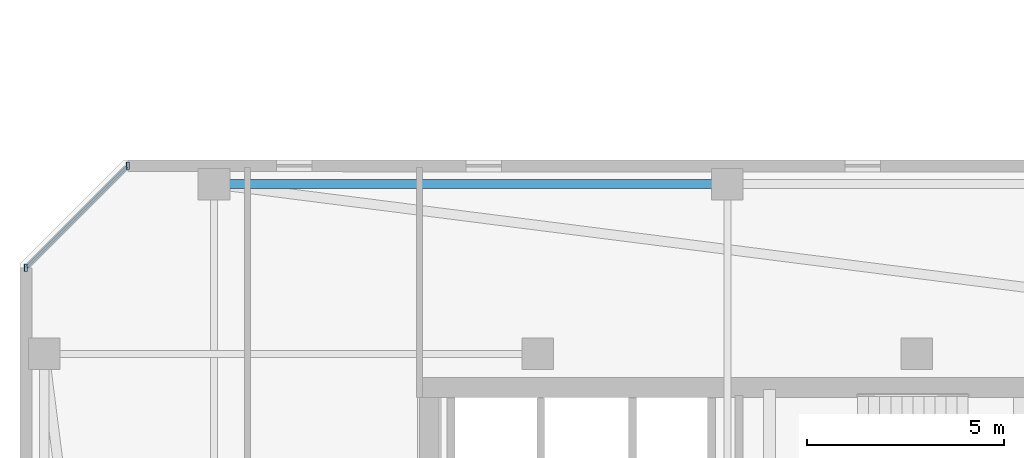
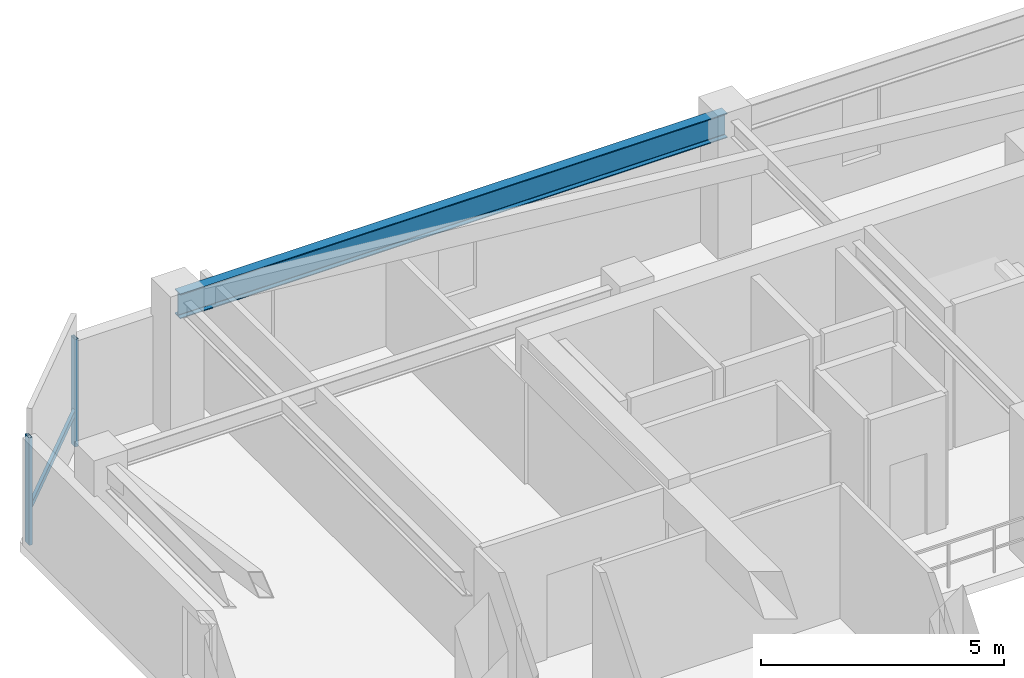
# One storey, part 10 of 34: 3 members, 1 beam, 1 element without a shape of its own.
"""IFC4 building model written with IfcOpenShell, lengths in metres."""

from ifc_helpers import new_model, si_unit, direction, frame, origin, origin_2d, place, context, subcontext, project, spatial, hollow_rectangle, i_section, extrude, material, material_profile, profile_set, type_object, element, aggregate, save


model = new_model("IFC4")

# Units and contexts
model_context = context("Model", 3, precision=1e-05, world=origin(), true_north=direction((0.0, 1.0)))
body_context = subcontext(model_context, "Body", "Model", "MODEL_VIEW")
ifc_project = project(units=[si_unit("LENGTHUNIT", "METRE"), si_unit("AREAUNIT", "SQUARE_METRE"), si_unit("VOLUMEUNIT", "CUBIC_METRE"), si_unit("PLANEANGLEUNIT", "RADIAN"), si_unit("MASSUNIT", "GRAM", prefix="KILO")], contexts=[model_context])

# Site, building, storey
site_placement = place(None, origin())
site = spatial("IfcSite", under=ifc_project, at=site_placement, CompositionType="ELEMENT")
building_placement = place(site_placement, origin())
building = spatial("IfcBuilding", under=site, at=building_placement, Name="Thornwick Lancets Civic Towers", CompositionType="ELEMENT")
storey_placement = place(building_placement, frame((0.0, 0.0, 261.89990234375)))
storey = spatial("IfcBuildingStorey", under=building, at=storey_placement, Name="L70", CompositionType="ELEMENT", Elevation=261.89990234375)

# Beam
ifc_material_1 = material(Name="Steel S355JR", Category="steel")
ifc_material_profile_1 = material_profile(ifc_material_1, i_section(OverallWidth=0.230224609375, OverallDepth=0.6171875, WebThickness=0.01318359375, FlangeThickness=0.022216796875, FilletRadius=0.0126953125, at=origin_2d()), Name="UKB 610x229x140")
ifc_profile_set_1 = profile_set([ifc_material_profile_1], Name="Steel S355JR")
beam_type = type_object("IfcBeamType", Name="BM_GIRD_610_140", PredefinedType="BEAM", material=ifc_profile_set_1)
beam_placement = place(storey_placement, frame((12.5, 44.300048828125, 3.051513671875), z_axis=(1.0, 0.0, 0.0), x_axis=(0.0, 1.0, 0.0)))
element("IfcBeam", 1, at=beam_placement, inside=storey, type_object=beam_type, Name="BM-SPINE-L70-A-6-7", PredefinedType="BEAM", context=body_context, shape_type="SweptSolid", body=[
    extrude(i_section(OverallWidth=0.230224609375, OverallDepth=0.6171875, WebThickness=0.01318359375, FlangeThickness=0.022216796875, FilletRadius=0.0126953125, at=origin_2d()), origin(), (0.0, 0.0, 1.0), 13.0),
])

# Curtain wall, members
ifc_material_2 = material(Name="High-zone chamfered-corner unitised glass curtain wall", Category="glass")
curtain_wall_type = type_object("IfcCurtainWallType", Name="CW_SYS_05", PredefinedType="NOTDEFINED", material=ifc_material_2)
curtain_wall_placement = place(storey_placement, origin())
curtain_wall = element("IfcCurtainWall", 2, at=curtain_wall_placement, inside=storey, type_object=curtain_wall_type, Name="L70 Curtain Wall CW-L70-A-E5", PredefinedType="NOTDEFINED")
ifc_material_3 = material(Name="Thermally broken bronze aluminium S355", Category="steel")
ifc_material_profile_2 = material_profile(ifc_material_3, hollow_rectangle(XDim=0.074951171875, YDim=0.179931640625, WallThickness=0.006103515625, at=origin_2d()), Name="RHS 180x75x6")
ifc_profile_set_2 = profile_set([ifc_material_profile_2], Name="Thermally broken bronze aluminium S355")
member_type_1 = type_object("IfcMemberType", Name="CW_MUL_180", PredefinedType="MULLION", material=ifc_profile_set_2)
member_1_placement = place(storey_placement, frame((10.318603515625, 44.7646484375, 0.0), z_axis=(0.0, 0.0, 1.0), x_axis=(1.0, 0.0, 0.0)))
member_1 = element("IfcMember", 3, at=member_1_placement, type_object=member_type_1, Name="CW-L70-A-E5 Mullion 0", PredefinedType="MULLION", context=body_context, shape_type="SweptSolid", body=[
    extrude(hollow_rectangle(XDim=0.074951171875, YDim=0.179931640625, WallThickness=0.006103515625, at=origin_2d()), origin(), (0.0, 0.0, 1.0), 2.7001953125),
])
member_2_placement = place(storey_placement, frame((7.7353515625, 42.181396484375, 0.0), z_axis=(0.0, 0.0, 1.0), x_axis=(1.0, 0.0, 0.0)))
member_2 = element("IfcMember", 4, at=member_2_placement, type_object=member_type_1, Name="CW-L70-A-E5 Mullion 1", PredefinedType="MULLION", context=body_context, shape_type="SweptSolid", body=[
    extrude(hollow_rectangle(XDim=0.074951171875, YDim=0.179931640625, WallThickness=0.006103515625, at=origin_2d()), origin(), (0.0, 0.0, 1.0), 2.7001953125),
])
ifc_material_profile_3 = material_profile(ifc_material_3, hollow_rectangle(XDim=0.074951171875, YDim=0.14990234375, WallThickness=0.0048828125, at=origin_2d()), Name="RHS 150x75x5")
ifc_profile_set_3 = profile_set([ifc_material_profile_3], Name="Thermally broken bronze aluminium S355")
member_type_2 = type_object("IfcMemberType", Name="CW_TRN_150", PredefinedType="USERDEFINED", material=ifc_profile_set_3)
member_3_placement = place(storey_placement, frame((10.304443359375, 44.75048828125, 0.85009765625), z_axis=(-0.707106781187, -0.707106781187, 0.0), x_axis=(0.707106781187, -0.707106781187, 0.0)))
member_3 = element("IfcMember", 5, at=member_3_placement, type_object=member_type_2, Name="CW-L70-A-E5 Transom 0", ObjectType="TRANSOM", PredefinedType="USERDEFINED", context=body_context, shape_type="SweptSolid", body=[
    extrude(hollow_rectangle(XDim=0.074951171875, YDim=0.14990234375, WallThickness=0.0048828125, at=origin_2d()), origin(), (0.0, 0.0, 1.0), 3.61328125),
])
aggregate(curtain_wall, [member_1, member_2, member_3])

save(model, "model.ifc")
